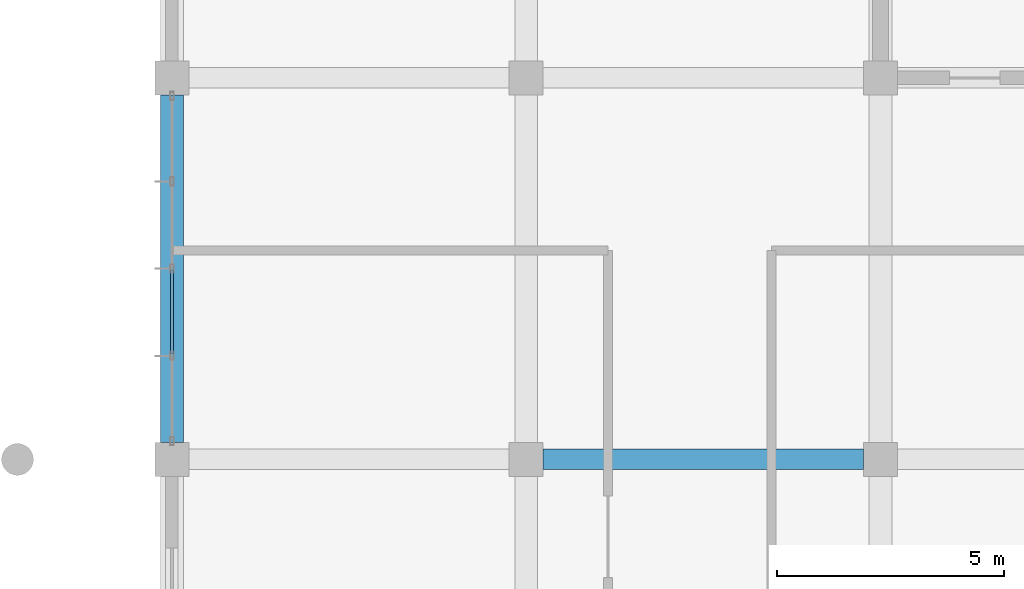
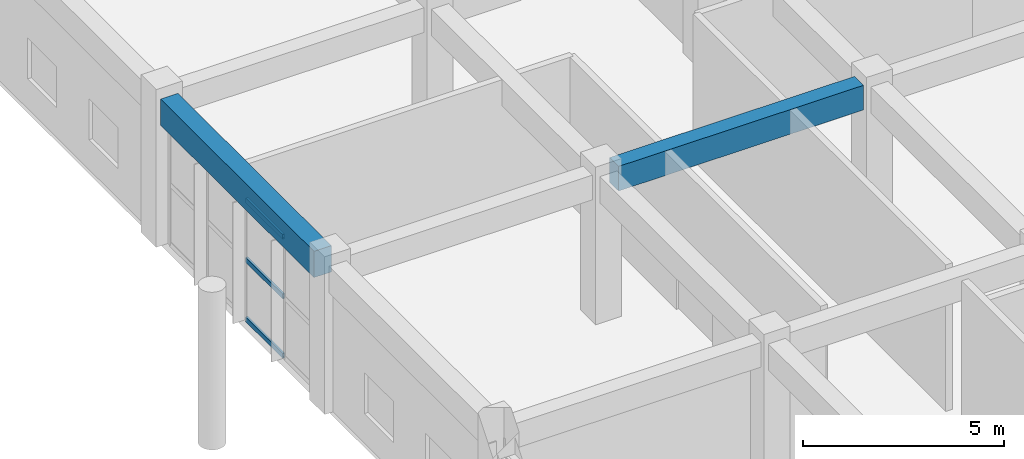
# One storey, part 66 of 175: 3 members, 2 beams, 1 element without a shape of its own.
"""IFC4 building model written with IfcOpenShell, lengths in metres."""

from ifc_helpers import new_model, si_unit, direction, frame, origin, origin_2d, place, context, subcontext, project, spatial, rectangle, hollow_rectangle, extrude, material, layer, layer_set, material_profile, profile_set, type_object, element, aggregate, save


model = new_model("IFC4")

# Units and contexts
model_context = context("Model", 3, precision=1e-05, world=origin(), true_north=direction((0.0, 1.0)))
body_context = subcontext(model_context, "Body", "Model", "MODEL_VIEW")
ifc_project = project(units=[si_unit("LENGTHUNIT", "METRE"), si_unit("AREAUNIT", "SQUARE_METRE"), si_unit("VOLUMEUNIT", "CUBIC_METRE"), si_unit("PLANEANGLEUNIT", "RADIAN"), si_unit("MASSUNIT", "GRAM", prefix="KILO")], contexts=[model_context])

# Site, building, storey
site_placement = place(None, origin())
site = spatial("IfcSite", under=ifc_project, at=site_placement, CompositionType="ELEMENT")
building_placement = place(site_placement, origin())
building = spatial("IfcBuilding", under=site, at=building_placement, Name="Zizhar Promenade General Hospital", CompositionType="ELEMENT")
storey_placement = place(building_placement, frame((0.0, 0.0, 4.800048828125)))
storey = spatial("IfcBuildingStorey", under=building, at=storey_placement, Name="L01", CompositionType="ELEMENT", Elevation=4.800048828125)

# Beams
ifc_material_1 = material(Name="Concrete C35/45", Category="concrete")
ifc_material_profile_1 = material_profile(ifc_material_1, rectangle(XDim=0.449951171875, YDim=0.75, at=origin_2d()))
ifc_profile_set_1 = profile_set([ifc_material_profile_1], Name="Concrete C35/45")
beam_type_1 = type_object("IfcBeamType", Name="BM-RC-450x750", PredefinedType="BEAM", material=ifc_profile_set_1)
beam_1_placement = place(storey_placement, frame((54.97509765625, 100.800048828125, 4.094970703125), z_axis=(1.0, 0.0, 0.0), x_axis=(0.0, 1.0, 0.0)))
element("IfcBeam", 1, at=beam_1_placement, inside=storey, type_object=beam_type_1, Name="Grid Beam X L01 (7-12)", PredefinedType="BEAM", context=body_context, shape_type="SweptSolid", body=[
    extrude(rectangle(XDim=0.449951171875, YDim=0.75, at=origin_2d()), origin(), (0.0, 0.0, 1.0), 7.0498046875),
])
ifc_material_2 = material(Name="Concrete C35/45", Category="concrete")
ifc_material_profile_2 = material_profile(ifc_material_2, rectangle(XDim=0.5, YDim=0.800048828125, at=origin_2d()))
ifc_profile_set_2 = profile_set([ifc_material_profile_2], Name="Concrete C35/45")
beam_type_2 = type_object("IfcBeamType", Name="BM-RC-500x800", PredefinedType="BEAM", material=ifc_profile_set_2)
beam_2_placement = place(storey_placement, frame((46.800048828125, 101.175048828125, 4.070068359375), z_axis=(0.0, 1.0, 0.0), x_axis=(-1.0, 0.0, 0.0)))
element("IfcBeam", 2, at=beam_2_placement, inside=storey, type_object=beam_type_2, Name="Grid Beam Y L01 (6-12)", PredefinedType="BEAM", context=body_context, shape_type="SweptSolid", body=[
    extrude(rectangle(XDim=0.5, YDim=0.800048828125, at=origin_2d()), origin(), (0.0, 0.0, 1.0), 7.64990234375),
])

# Curtain wall, members
ifc_material_3 = material(Name="Anodised aluminium 6063-T6 and low-E glass", Category="aluminium")
ifc_layer = layer(ifc_material_3, 0.159912109375)
ifc_layer_set = layer_set([ifc_layer], Name="Anodised aluminium 6063-T6 and low-E glass")
curtain_wall_type = type_object("IfcCurtainWallType", Name="CW-DT-MOD1", PredefinedType="NOTDEFINED", material=ifc_layer_set)
curtain_wall_placement = place(storey_placement, origin())
curtain_wall = element("IfcCurtainWall", 3, at=curtain_wall_placement, inside=storey, type_object=curtain_wall_type, Name="Surgical West Glazed Curtain Wall L01-12", PredefinedType="NOTDEFINED")
ifc_material_4 = material(Name="Anodised aluminium 6063-T6", Category="aluminium")
ifc_material_profile_3 = material_profile(ifc_material_4, hollow_rectangle(XDim=0.06005859375, YDim=0.14990234375, WallThickness=0.00390625, at=origin_2d()))
ifc_profile_set_3 = profile_set([ifc_material_profile_3], Name="Anodised aluminium 6063-T6")
member_type = type_object("IfcMemberType", Name="CWT-ALU-150x60", PredefinedType="USERDEFINED", material=ifc_profile_set_3)
member_1_placement = place(storey_placement, frame((46.800048828125, 103.1201171875, 0.030029296875), z_axis=(0.0, 1.0, 0.0), x_axis=(-1.0, 0.0, 0.0)))
member_1 = element("IfcMember", 4, at=member_1_placement, type_object=member_type, Name="CW-07 transom 2.1", ObjectType="TRANSOM", PredefinedType="USERDEFINED", context=body_context, shape_type="SweptSolid", body=[
    extrude(hollow_rectangle(XDim=0.06005859375, YDim=0.14990234375, WallThickness=0.00390625, at=origin_2d()), origin(), (0.0, 0.0, 1.0), 1.83984375),
])
member_2_placement = place(storey_placement, frame((46.800048828125, 103.1201171875, 1.83984375), z_axis=(0.0, 1.0, 0.0), x_axis=(-1.0, 0.0, 0.0)))
member_2 = element("IfcMember", 5, at=member_2_placement, type_object=member_type, Name="CW-07 transom 2.2", ObjectType="TRANSOM", PredefinedType="USERDEFINED", context=body_context, shape_type="SweptSolid", body=[
    extrude(hollow_rectangle(XDim=0.06005859375, YDim=0.14990234375, WallThickness=0.00390625, at=origin_2d()), origin(), (0.0, 0.0, 1.0), 1.83984375),
])
member_3_placement = place(storey_placement, frame((46.800048828125, 103.1201171875, 3.64990234375), z_axis=(0.0, 1.0, 0.0), x_axis=(-1.0, 0.0, 0.0)))
member_3 = element("IfcMember", 6, at=member_3_placement, type_object=member_type, Name="CW-07 transom 2.3", ObjectType="TRANSOM", PredefinedType="USERDEFINED", context=body_context, shape_type="SweptSolid", body=[
    extrude(hollow_rectangle(XDim=0.06005859375, YDim=0.14990234375, WallThickness=0.00390625, at=origin_2d()), origin(), (0.0, 0.0, 1.0), 1.83984375),
])
aggregate(curtain_wall, [member_1, member_2, member_3])

save(model, "model.ifc")
